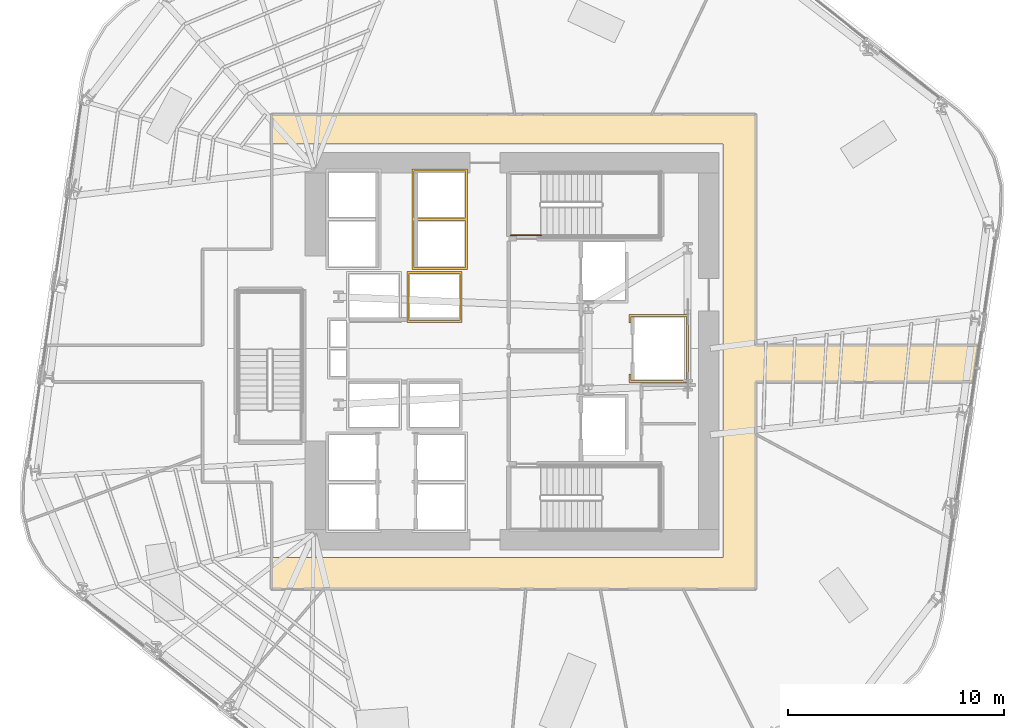
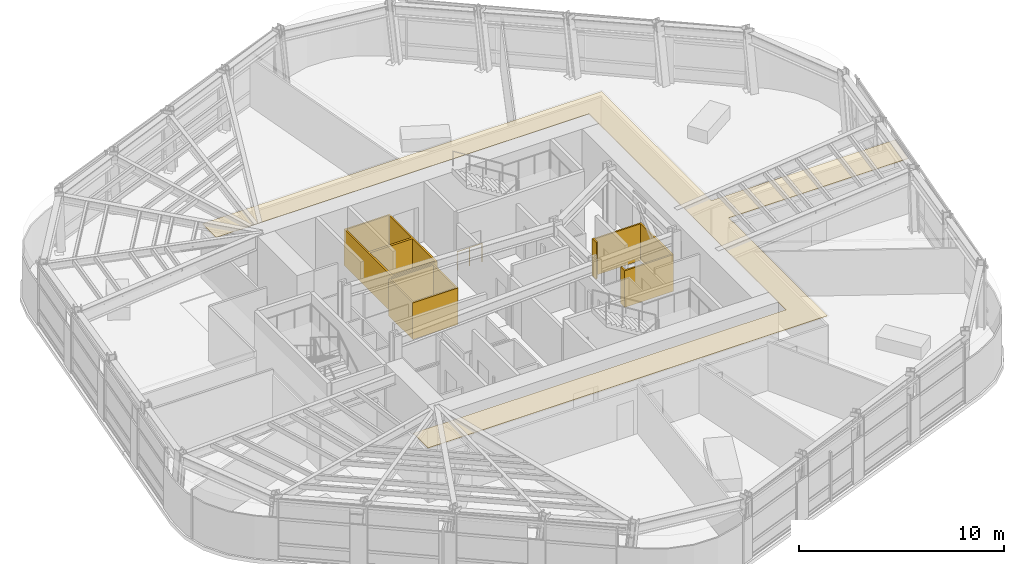
# One storey, part 14 of 17: 4 coverings, 1 railing.
"""IFC4 building model written with IfcOpenShell, lengths in metres."""

from ifc_helpers import new_model, si_unit, direction, frame, origin, origin_2d, place, context, subcontext, project, spatial, polyline, circle, outline, extrude, material, layer, layer_set, type_object, element, save


model = new_model("IFC4")

# Units and contexts
model_context = context("Model", 3, precision=1e-05, world=origin(), true_north=direction((0.0, 1.0)))
body_context = subcontext(model_context, "Body", "Model", "MODEL_VIEW")
ifc_project = project(units=[si_unit("LENGTHUNIT", "METRE"), si_unit("AREAUNIT", "SQUARE_METRE"), si_unit("VOLUMEUNIT", "CUBIC_METRE"), si_unit("PLANEANGLEUNIT", "RADIAN"), si_unit("MASSUNIT", "GRAM", prefix="KILO")], contexts=[model_context])

# Site, building, storey
site_placement = place(None, origin())
site = spatial("IfcSite", under=ifc_project, at=site_placement, CompositionType="ELEMENT")
building_placement = place(site_placement, origin())
building = spatial("IfcBuilding", under=site, at=building_placement, Name="Valkerne Bourse Tower", CompositionType="ELEMENT")
storey_placement = place(building_placement, frame((0.0, 0.0, 116.199951171875)))
storey = spatial("IfcBuildingStorey", under=building, at=storey_placement, Name="L29", CompositionType="ELEMENT", Elevation=116.199951171875)

# Coverings
ifc_material_1 = material(Name="Bronze Anodised Aluminium AA 6063-T6", Category="aluminium")
ifc_layer_1 = layer(ifc_material_1, 0.030029296875)
ifc_layer_set_1 = layer_set([ifc_layer_1], Name="Bronze Anodised Aluminium AA 6063-T6")
covering_type_1 = type_object("IfcCoveringType", Name="COV-CEIL-METAL", PredefinedType="CEILING", material=ifc_layer_set_1)
covering_1_placement = place(storey_placement, frame((0.0, 0.0, 3.22998046875)))
element("IfcCovering", 1, at=covering_1_placement, inside=storey, type_object=covering_type_1, Name="L29 Suspended Ceiling 01", PredefinedType="CEILING", context=body_context, shape_type="SweptSolid", body=[
    extrude(outline(polyline([(68.419921875, 27.14599609375), (68.169921875, 25.4541015625), (58.095947265625, 25.4541015625), (58.095947265625, 15.85400390625), (35.654052734375, 15.85400390625), (35.654052734375, 17.300048828125), (56.60009765625, 17.300048828125), (56.60009765625, 36.5), (35.654052734375, 36.5), (35.654052734375, 37.845947265625), (58.095947265625, 37.845947265625), (58.095947265625, 27.14599609375), (68.419921875, 27.14599609375)])), origin(), (0.0, 0.0, 1.0), 0.025146484375),
])
ifc_material_2 = material(Name="Gypsum Shaftwall Liner Board", Category="gypsum")
ifc_layer_2 = layer(ifc_material_2, 0.080078125)
ifc_layer_set_2 = layer_set([ifc_layer_2], Name="Gypsum Shaftwall Liner Board")
covering_type_2 = type_object("IfcCoveringType", Name="COV-SHF-CLAD", PredefinedType="CLADDING", material=ifc_layer_set_2)
covering_2_placement = place(storey_placement, origin())
element("IfcCovering", 2, at=covering_2_placement, inside=storey, type_object=covering_type_2, Name="L29 Hoistway & Riser Shaftwall Liner 08", PredefinedType="CLADDING", context=body_context, shape_type="SweptSolid", body=[
    extrude(outline(polyline([(54.97998046875, 25.419921875), (52.219970703125, 25.419921875), (52.219970703125, 25.81787109375), (52.227783203125, 25.814208984375), (52.269287109375, 25.79931640625), (52.31005859375, 25.789306640625), (52.31005859375, 25.510009765625), (54.889892578125, 25.510009765625), (54.889892578125, 28.489990234375), (52.31005859375, 28.489990234375), (52.31005859375, 28.210693359375), (52.269287109375, 28.20068359375), (52.227783203125, 28.185791015625), (52.219970703125, 28.18212890625), (52.219970703125, 28.580078125), (54.97998046875, 28.580078125), (54.97998046875, 25.419921875)])), origin(), (0.0, 0.0, 1.0), 2.179931640625),
])
covering_3_placement = place(storey_placement, origin())
element("IfcCovering", 3, at=covering_3_placement, inside=storey, type_object=covering_type_2, Name="L29 Hoistway & Riser Shaftwall Liner 09", PredefinedType="CLADDING", context=body_context, shape_type="SweptSolid", body=[
    extrude(outline(polyline([(44.47998046875, 28.219970703125), (41.919921875, 28.219970703125), (41.919921875, 30.580078125), (44.47998046875, 30.580078125), (44.47998046875, 28.219970703125)]), holes=[polyline([(42.010009765625, 30.489990234375), (42.010009765625, 28.31005859375), (44.389892578125, 28.31005859375), (44.389892578125, 30.489990234375), (42.010009765625, 30.489990234375)])]), origin(), (0.0, 0.0, 1.0), 2.179931640625),
])
covering_4_placement = place(storey_placement, origin())
element("IfcCovering", 4, at=covering_4_placement, inside=storey, type_object=covering_type_2, Name="L29 Hoistway & Riser Shaftwall Liner 11", PredefinedType="CLADDING", context=body_context, shape_type="SweptSolid", body=[
    extrude(outline(polyline([(44.72998046875, 35.330078125), (44.72998046875, 33.030029296875), (44.72998046875, 32.969970703125), (44.72998046875, 30.669921875), (42.169921875, 30.669921875), (42.169921875, 32.969970703125), (42.169921875, 33.030029296875), (42.169921875, 35.330078125), (44.72998046875, 35.330078125)]), holes=[polyline([(42.260009765625, 30.760009765625), (44.639892578125, 30.760009765625), (44.639892578125, 32.93994140625), (42.260009765625, 32.93994140625), (42.260009765625, 30.760009765625)]), polyline([(42.260009765625, 33.06005859375), (44.639892578125, 33.06005859375), (44.639892578125, 35.239990234375), (42.260009765625, 35.239990234375), (42.260009765625, 33.06005859375)])]), origin(), (0.0, 0.0, 1.0), 2.179931640625),
])

# Railing
ifc_material_3 = material(Name="Galvanised Painted Steel", Category="steel")
railing_type = type_object("IfcRailingType", Name="RLG-ST-GUARD-1120", PredefinedType="GUARDRAIL", material=ifc_material_3)
railing_placement = place(storey_placement, frame((46.75, 32.25, 0.0)))
element("IfcRailing", 5, at=railing_placement, inside=storey, type_object=railing_type, Name="L29 ST-2 stair guard 8", PredefinedType="GUARDRAIL", context=body_context, shape_type="SweptSolid", body=[
    extrude(circle(Radius=0.02392578125, at=origin_2d()), frame((0.0, 0.0, 1.09619140625), z_axis=(1.0, 0.0, 0.0), x_axis=(0.0, 1.0, 0.0)), (0.0, 0.0, 1.0), 1.39990234375),
    extrude(circle(Radius=0.02099609375, at=origin_2d()), origin(), (0.0, 0.0, 1.0), 1.072021484375),
    extrude(circle(Radius=0.02099609375, at=origin_2d()), frame((0.699951171875, 0.0, 0.0)), (0.0, 0.0, 1.0), 1.072021484375),
    extrude(circle(Radius=0.02099609375, at=origin_2d()), frame((1.39990234375, 0.0, 0.0)), (0.0, 0.0, 1.0), 1.072021484375),
])

save(model, "model.ifc")
